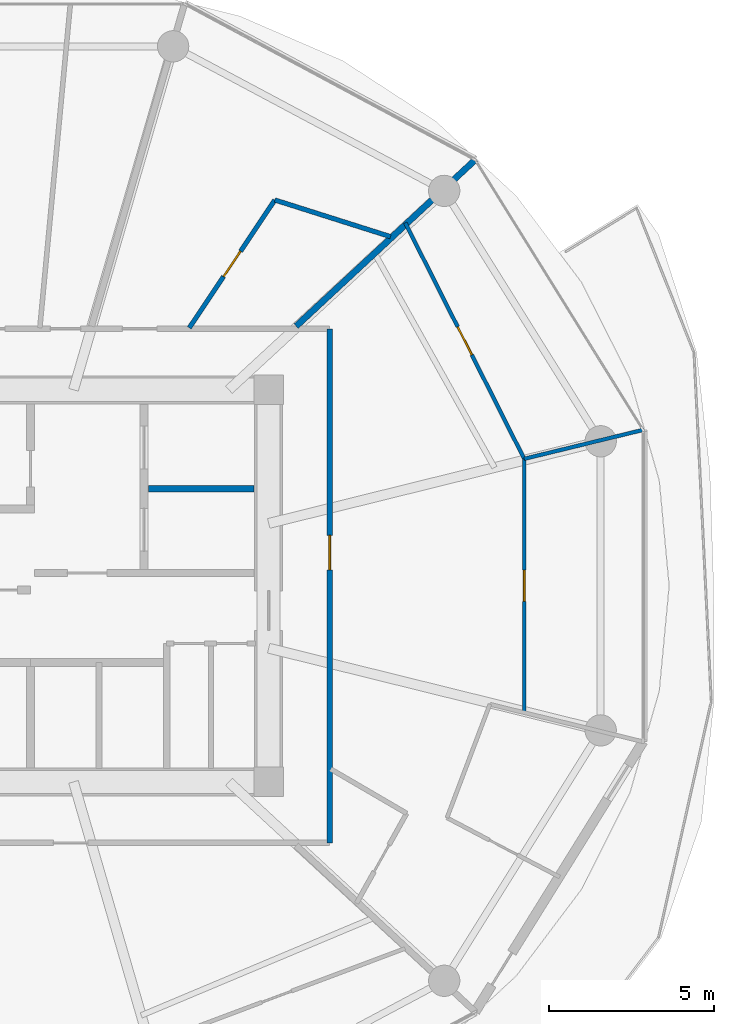
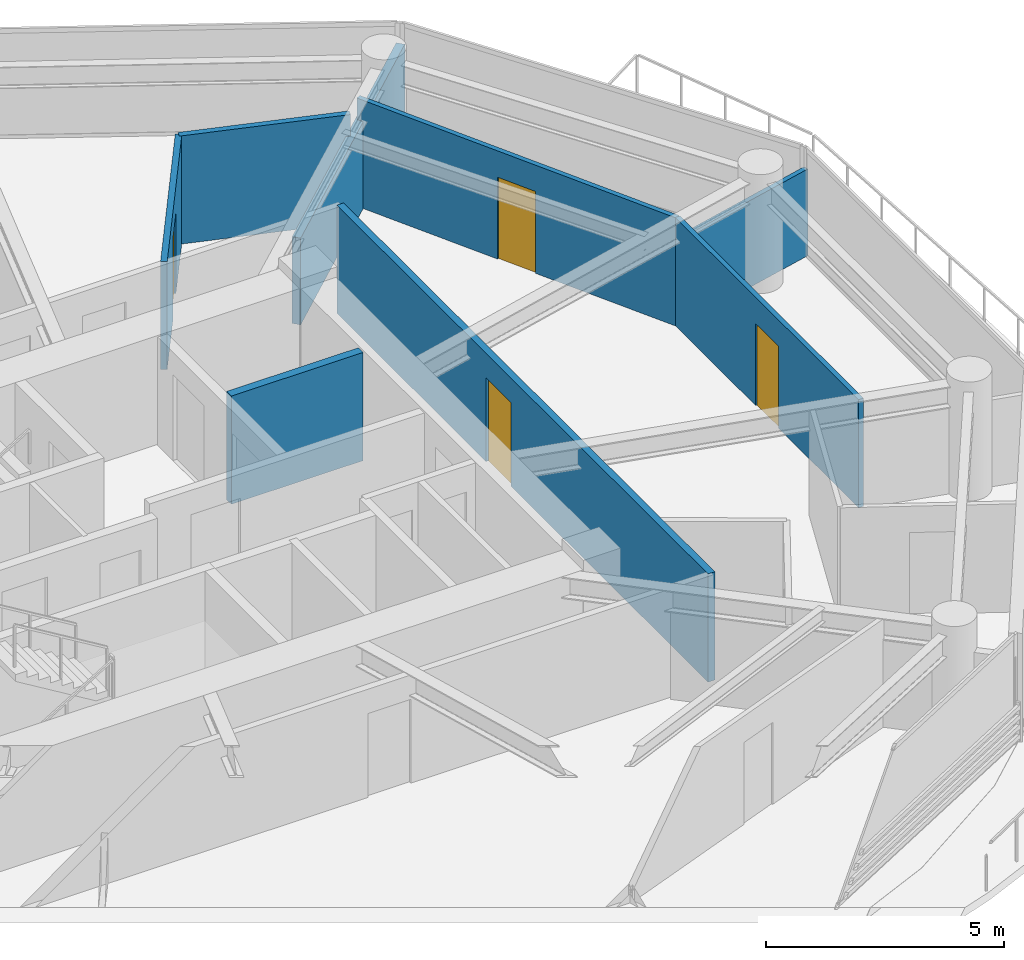
# One storey, part 21 of 27: 8 walls, 4 doors, 4 openings.
"""IFC4 building model written with IfcOpenShell, lengths in metres."""

import ifcopenshell
import ifcopenshell.guid

model = None  # the IFC model being written
_history = None  # IfcOwnerHistory: only IFC2X3 demands one
_inside = {}  # id of a spatial element -> (the spatial element, [elements in it])
_under = {}  # id of a project, library or spatial element -> (it, [spatial elements below it])
_declared = {}  # id of a project -> (the project, [libraries it declares])
_typed = {}  # id of a type object -> (the type object, [elements of that type])
_made_of = {}  # id of a material, layer set ... -> (it, [elements and type objects made of it])


def new_model(schema):
    """Start an empty IFC model of exactly this schema.

    Asked for "IFC4X3", IfcOpenShell would pick the latest addendum, in which some entities
    have other attributes; the version numbers below select the first issue.
    IFC2X3 requires an IfcOwnerHistory on every rooted entity: one is made here for all.
    """
    global model, _history
    if schema == "IFC4X3":
        model = ifcopenshell.file(schema_version=(4, 3, 0, 0))
    else:
        model = ifcopenshell.file(schema=schema)
    _inside.clear()
    _under.clear()
    _declared.clear()
    _typed.clear()
    _made_of.clear()
    _history = None
    if model.schema == "IFC2X3":
        org = make("IfcOrganization", Name="unknown")
        user = make(
            "IfcPersonAndOrganization",
            ThePerson=make("IfcPerson", FamilyName="unknown"),
            TheOrganization=org,
        )
        app = make(
            "IfcApplication",
            ApplicationDeveloper=org,
            Version="unknown",
            ApplicationFullName="unknown",
            ApplicationIdentifier="unknown",
        )
        _history = make(
            "IfcOwnerHistory",
            OwningUser=user,
            OwningApplication=app,
            ChangeAction="ADDED",
            CreationDate=0,
        )
    return model


def make(cls, **values):
    """One entity of the class cls with the attributes given. An attribute that is None is left unset."""
    return model.create_entity(
        cls, **{name: value for name, value in values.items() if value is not None}
    )


def rooted(cls, **values):
    """An entity with a GlobalId (a new one), such as an element, a storey or a relation."""
    return make(cls, GlobalId=ifcopenshell.guid.new(), OwnerHistory=_history, **values)


def si_unit(unit_type, name, prefix=None):
    """IfcSIUnit, for example si_unit("LENGTHUNIT", "METRE", prefix="MILLI")."""
    return make("IfcSIUnit", UnitType=unit_type, Prefix=prefix, Name=name)


def assignment(units):
    """IfcUnitAssignment: the units of a project."""
    return None if units is None else make("IfcUnitAssignment", Units=units)


def point(xyz):
    """IfcCartesianPoint."""
    return None if xyz is None else make("IfcCartesianPoint", Coordinates=xyz)


def direction(xyz):
    """IfcDirection."""
    return None if xyz is None else make("IfcDirection", DirectionRatios=xyz)


def frame(location, z_axis=None, x_axis=None):
    """IfcAxis2Placement3D, a coordinate frame: its origin and axes. An axis left out is left unset."""
    return make(
        "IfcAxis2Placement3D",
        Location=point(location),
        Axis=direction(z_axis),
        RefDirection=direction(x_axis),
    )


def frame_2d(location, x_axis=None):
    """IfcAxis2Placement2D, a coordinate frame in the plane: its origin and x axis."""
    return make(
        "IfcAxis2Placement2D", Location=point(location), RefDirection=direction(x_axis)
    )


def origin():
    """The frame at (0, 0, 0) with its axes left unset."""
    return frame((0.0, 0.0, 0.0))


def place(relative_to, where):
    """IfcLocalPlacement: puts the frame where relative to a parent placement (None: the world)."""
    return make(
        "IfcLocalPlacement", PlacementRelTo=relative_to, RelativePlacement=where
    )


def context(
    kind, dimensions, precision=None, world=None, true_north=None, identifier=None
):
    """IfcGeometricRepresentationContext, for example the 3D "Model" context."""
    return make(
        "IfcGeometricRepresentationContext",
        ContextIdentifier=identifier,
        ContextType=kind,
        CoordinateSpaceDimension=dimensions,
        Precision=precision,
        WorldCoordinateSystem=world,
        TrueNorth=true_north,
    )


def subcontext(parent, identifier, kind, view, scale=None):
    """IfcGeometricRepresentationSubContext, for example "Body" below "Model"."""
    return make(
        "IfcGeometricRepresentationSubContext",
        ContextIdentifier=identifier,
        ContextType=kind,
        ParentContext=parent,
        TargetScale=scale,
        TargetView=view,
    )


def project(units=None, contexts=None):
    """IfcProject with its units and contexts."""
    return rooted(
        "IfcProject",
        Name="project",
        RepresentationContexts=contexts,
        UnitsInContext=assignment(units),
    )


def spatial(cls, under=None, at=None, **own):
    """A site, building, storey or space (cls), placed at a placement, below another one or the project."""
    s = rooted(cls, ObjectPlacement=at, **own)
    if under is not None:
        _under.setdefault(under.id(), (under, []))[1].append(s)
    return s


def profile(cls, at=None, kind="AREA", **sizes):
    """A parametric profile (cls). Its sizes go by their IFC names, for example OverallWidth=200.0."""
    return make(cls, ProfileType=kind, Position=at, **sizes)


def rectangle(**sizes):
    """IfcRectangleProfileDef."""
    return profile("IfcRectangleProfileDef", **sizes)


def extrude(swept, where, along, depth):
    """IfcExtrudedAreaSolid: the profile swept, set in the frame where, extruded along a direction by depth."""
    return make(
        "IfcExtrudedAreaSolid",
        SweptArea=swept,
        Position=where,
        ExtrudedDirection=direction(along),
        Depth=depth,
    )


def shape(context_of_items, identifier, shape_type, items):
    """IfcShapeRepresentation: the items that make up one representation, for example the "Body"."""
    return make(
        "IfcShapeRepresentation",
        ContextOfItems=context_of_items,
        RepresentationIdentifier=identifier,
        RepresentationType=shape_type,
        Items=items,
    )


def source(mapping_origin, context_of_items, identifier, shape_type, items):
    """IfcRepresentationMap: a shape defined once, which mapped items show again and again."""
    return make(
        "IfcRepresentationMap",
        MappingOrigin=mapping_origin,
        MappedRepresentation=shape(context_of_items, identifier, shape_type, items),
    )


def transform(
    local_origin,
    x_axis=None,
    y_axis=None,
    z_axis=None,
    scale=None,
    scale2=None,
    scale3=None,
    uniform=True,
):
    """IfcCartesianTransformationOperator3D, or its non-uniform kind. x_axis, y_axis, z_axis: its Axis1, 2, 3."""
    if uniform:
        return make(
            "IfcCartesianTransformationOperator3D",
            Axis1=direction(x_axis),
            Axis2=direction(y_axis),
            LocalOrigin=point(local_origin),
            Scale=scale,
            Axis3=direction(z_axis),
        )
    return make(
        "IfcCartesianTransformationOperator3DnonUniform",
        Axis1=direction(x_axis),
        Axis2=direction(y_axis),
        LocalOrigin=point(local_origin),
        Scale=scale,
        Axis3=direction(z_axis),
        Scale2=scale2,
        Scale3=scale3,
    )


def mapped(mapping_source, mapping_target):
    """IfcMappedItem: shows the shape of a source again, moved by a transform."""
    return make(
        "IfcMappedItem", MappingSource=mapping_source, MappingTarget=mapping_target
    )


def material(Name=None, Category=None):
    """IfcMaterial."""
    return make("IfcMaterial", Name=Name, Category=Category)


def layer(
    of_material, thickness, ventilated=None, Name=None, Category=None, Priority=None
):
    """IfcMaterialLayer: one layer of a wall or slab, of a material (None: an air gap)."""
    return make(
        "IfcMaterialLayer",
        Material=of_material,
        LayerThickness=thickness,
        IsVentilated=ventilated,
        Name=Name,
        Category=Category,
        Priority=Priority,
    )


def layer_set(layers, Name=None):
    """IfcMaterialLayerSet."""
    return make("IfcMaterialLayerSet", MaterialLayers=layers, LayerSetName=Name)


def made_of(thing, what):
    """Note that an element or type object is made of a material, layer set ...; save() writes the relation."""
    if what is not None:
        _made_of.setdefault(what.id(), (what, []))[1].append(thing)
    return thing


def type_object(cls, material=None, **own):
    """A type object (cls), such as IfcWallType, which elements share."""
    return made_of(rooted(cls, **own), material)


def type_shapes(of_type, sources):
    """Give a type object the sources (RepresentationMaps) that its elements show as mapped items."""
    of_type.RepresentationMaps = sources


def element(
    cls,
    number,
    at=None,
    inside=None,
    cuts=None,
    type_object=None,
    material=None,
    context=None,
    identifier="Body",
    shape_type=None,
    held_by="IfcProductDefinitionShape",
    body=None,
    shapes=None,
    **own,
):
    """One element of the class cls, such as IfcWall. Its Tag is "e" and its number.

    at: its placement. inside: the storey or other place that contains it. cuts: it is an
    opening in that element (IfcRelVoidsElement). A single representation is given by context,
    identifier, shape_type and body (its items); several are given by shapes. held_by: the class
    of the entity that holds the representations. save() writes the other relations.
    """
    e = rooted(cls, Tag="e%d" % number, ObjectPlacement=at, **own)
    if body is not None:
        shapes = [shape(context, identifier, shape_type, body)]
    if shapes is not None:
        e.Representation = make(held_by, Representations=shapes)
    if inside is not None:
        _inside.setdefault(inside.id(), (inside, []))[1].append(e)
    if cuts is not None:
        rooted(
            "IfcRelVoidsElement", RelatingBuildingElement=cuts, RelatedOpeningElement=e
        )
    if type_object is not None:
        _typed.setdefault(type_object.id(), (type_object, []))[1].append(e)
    return made_of(e, material)


def fill(opening, filler):
    """IfcRelFillsElement: the door or window that sits in an opening."""
    return rooted(
        "IfcRelFillsElement",
        RelatingOpeningElement=opening,
        RelatedBuildingElement=filler,
    )


def aggregate(whole, parts):
    """IfcRelAggregates: a whole, such as a stair, and the parts it consists of."""
    return rooted("IfcRelAggregates", RelatingObject=whole, RelatedObjects=parts)


def save(model, path):
    """Write the relations noted so far, then the file.

    IfcRelAggregates (storeys below a building ...), IfcRelContainedInSpatialStructure (elements
    in a storey), IfcRelDefinesByType, IfcRelAssociatesMaterial and IfcRelDeclares: one each for
    every whole, place, type object, material and project.
    """
    for whole, parts in _under.values():
        aggregate(whole, parts)
    for where, things in _inside.values():
        rooted(
            "IfcRelContainedInSpatialStructure",
            RelatedElements=things,
            RelatingStructure=where,
        )
    for kind, things in _typed.values():
        rooted("IfcRelDefinesByType", RelatedObjects=things, RelatingType=kind)
    for what, things in _made_of.values():
        rooted("IfcRelAssociatesMaterial", RelatedObjects=things, RelatingMaterial=what)
    for by, libraries in _declared.values():
        rooted("IfcRelDeclares", RelatingContext=by, RelatedDefinitions=libraries)
    model.write(path)


model = new_model("IFC4")

# Units and contexts
model_context = context("Model", 3, precision=1e-05, world=origin(), true_north=direction((0.0, 1.0)))
body_context = subcontext(model_context, "Body", "Model", "MODEL_VIEW")
ifc_project = project(units=[si_unit("LENGTHUNIT", "METRE"), si_unit("AREAUNIT", "SQUARE_METRE"), si_unit("VOLUMEUNIT", "CUBIC_METRE"), si_unit("PLANEANGLEUNIT", "RADIAN"), si_unit("MASSUNIT", "GRAM", prefix="KILO")], contexts=[model_context])

# Site, building, storey
site_placement = place(None, origin())
site = spatial("IfcSite", under=ifc_project, at=site_placement, CompositionType="ELEMENT")
building_placement = place(site_placement, origin())
building = spatial("IfcBuilding", under=site, at=building_placement, Name="Norrkilde Senior Care Towers", CompositionType="ELEMENT")
storey_placement = place(building_placement, frame((0.0, 0.0, 33.800048828125)))
storey = spatial("IfcBuildingStorey", under=building, at=storey_placement, Name="L09", CompositionType="ELEMENT", Elevation=33.800048828125)

# Wall
ifc_material_1 = material(Name="Concrete C45/55", Category="concrete")
ifc_layer_1 = layer(ifc_material_1, 0.199951171875)
ifc_layer_set_1 = layer_set([ifc_layer_1], Name="Concrete C45/55")
wall_type_1 = type_object("IfcWallType", Name="Shaft Division and Plant Partition 200", PredefinedType="PARTITIONING", material=ifc_layer_set_1)
shared_shape_1 = source(origin(), body_context, "Body", "SweptSolid", [
    extrude(rectangle(XDim=3.199951171875, YDim=0.199951171875, at=frame_2d((1.60009765625, 0.0))), origin(), (0.0, 0.0, 1.0), 2.77490234375),
])
type_shapes(wall_type_1, [shared_shape_1])
wall_1_placement = place(storey_placement, frame((32.0, 2.949951171875, 0.0), z_axis=(0.0, 0.0, 1.0), x_axis=(1.0, 0.0, 0.0)))
element("IfcWall", 1, at=wall_1_placement, inside=storey, type_object=wall_type_1, Name="WL-INT-L09-E-FFLDIV", PredefinedType="PARTITIONING", context=body_context, shape_type="MappedRepresentation", body=[
    mapped(shared_shape_1, transform((0.0, 0.0, 0.0), x_axis=(1.0, 0.0, 0.0), y_axis=(0.0, 1.0, 0.0), z_axis=(0.0, 0.0, 1.0), scale=1.0)),
])

# Wall, opening, door
ifc_material_2 = material(Name="Gypsum Acoustic Board")
ifc_layer_2 = layer(ifc_material_2, 0.1650390625)
ifc_layer_set_2 = layer_set([ifc_layer_2], Name="Gypsum Acoustic Board")
wall_type_2 = type_object("IfcWallType", Name="Corridor Rated Partition 165", PredefinedType="PARTITIONING", material=ifc_layer_set_2)
shared_shape_2 = source(origin(), body_context, "Body", "SweptSolid", [
    extrude(rectangle(XDim=15.60009765625, YDim=0.1650390625, at=frame_2d((7.800048828125, 0.0))), origin(), (0.0, 0.0, 1.0), 2.77490234375),
])
type_shapes(wall_type_2, [shared_shape_2])
wall_2_placement = place(storey_placement, frame((37.5, 7.800048828125, 0.0), z_axis=(0.0, 0.0, 1.0), x_axis=(0.0, -1.0, 0.0)))
wall_2 = element("IfcWall", 2, at=wall_2_placement, inside=storey, type_object=wall_type_2, Name="WL-INT-L09-E-CRW-E-0", PredefinedType="PARTITIONING", context=body_context, shape_type="MappedRepresentation", body=[
    mapped(shared_shape_2, transform((0.0, 0.0, 0.0), x_axis=(1.0, 0.0, 0.0), y_axis=(0.0, 1.0, 0.0), z_axis=(0.0, 0.0, 1.0), scale=1.0)),
])
opening_1_placement = place(wall_2_placement, frame((6.26904296875, 0.0, 0.0)))
opening_1 = element("IfcOpeningElement", 3, at=opening_1_placement, cuts=wall_2, Name="Opening D-06", PredefinedType="OPENING", context=body_context, shape_type="SweptSolid", body=[
    extrude(rectangle(XDim=1.050048828125, YDim=2.14990234375, at=frame_2d((0.52490234375, 1.074951171875))), frame((0.0, 0.092529296875, 0.0), z_axis=(0.0, -1.0, 0.0), x_axis=(1.0, 0.0, 0.0)), (0.0, 0.0, 1.0), 0.18505859375),
])
ifc_material_3 = material(Name="Nordic Ash Timber", Category="wood")
door_type_1 = type_object("IfcDoorType", Name="Apartment Entrance Fire Door 1050x2150", OperationType="NOTDEFINED", PredefinedType="DOOR", material=ifc_material_3)
shared_shape_3 = source(origin(), body_context, "Body", "SweptSolid", [
    extrude(rectangle(XDim=1.050048828125, YDim=2.14990234375, at=frame_2d((0.52490234375, 1.074951171875))), frame((0.0, 0.02490234375, 0.0), z_axis=(0.0, -1.0, 0.0), x_axis=(1.0, 0.0, 0.0)), (0.0, 0.0, 1.0), 0.050048828125),
])
type_shapes(door_type_1, [shared_shape_3])
door_1_placement = place(opening_1_placement, frame((1.050048828125, 0.0, 0.0), z_axis=(0.0, 0.0, 1.0), x_axis=(-1.0, 0.0, 0.0)))
door_1 = element("IfcDoor", 4, at=door_1_placement, inside=storey, type_object=door_type_1, Name="Apartment 09F Entrance Door", OperationType="SINGLE_SWING_LEFT", OverallHeight=2.14990234375, OverallWidth=1.050048828125, PredefinedType="DOOR", context=body_context, shape_type="MappedRepresentation", body=[
    mapped(shared_shape_3, transform((0.0, 0.0, 0.0), x_axis=(1.0, 0.0, 0.0), y_axis=(0.0, 1.0, 0.0), z_axis=(0.0, 0.0, 1.0), scale=1.0)),
])
fill(opening_1, door_1)

# Wall
ifc_layer_3 = layer(ifc_material_2, 0.18994140625)
ifc_layer_set_3 = layer_set([ifc_layer_3], Name="Gypsum Acoustic Board")
wall_type_3 = type_object("IfcWallType", Name="Unit Demising Acoustic Wall 190", PredefinedType="PARTITIONING", material=ifc_layer_set_3)
shared_shape_4 = source(origin(), body_context, "Body", "SweptSolid", [
    extrude(rectangle(XDim=7.4345703125, YDim=0.18994140625, at=frame_2d((3.71728515625, 0.0))), origin(), (0.0, 0.0, 1.0), 2.224853515625),
])
type_shapes(wall_type_3, [shared_shape_4])
wall_3_placement = place(storey_placement, frame((36.48291015625, 7.8798828125, 0.0), z_axis=(0.0, 0.0, 1.0), x_axis=(0.732651956848, 0.680603489652, 0.0)))
element("IfcWall", 5, at=wall_3_placement, inside=storey, type_object=wall_type_3, Name="WL-INT-L09-E-DEM-01-0", PredefinedType="PARTITIONING", context=body_context, shape_type="MappedRepresentation", body=[
    mapped(shared_shape_4, transform((0.0, 0.0, 0.0), x_axis=(1.0, 0.0, 0.0), y_axis=(0.0, 1.0, 0.0), z_axis=(0.0, 0.0, 1.0), scale=1.0)),
])

# Wall, opening, door
ifc_layer_4 = layer(ifc_material_2, 0.114990234375)
ifc_layer_set_4 = layer_set([ifc_layer_4], Name="Gypsum Acoustic Board")
wall_type_4 = type_object("IfcWallType", Name="Internal Room Partition 115", PredefinedType="PARTITIONING", material=ifc_layer_set_4)
shared_shape_5 = source(origin(), body_context, "Body", "SweptSolid", [
    extrude(rectangle(XDim=8.017822265625, YDim=0.114990234375, at=frame_2d((4.0087890625, 0.0))), origin(), (0.0, 0.0, 1.0), 2.77490234375),
])
wall_4_placement = place(storey_placement, frame((43.404052734375, 3.854248046875, 0.0), z_axis=(0.0, 0.0, 1.0), x_axis=(-0.450134355233, 0.89296084026, 0.0)))
wall_4 = element("IfcWall", 6, at=wall_4_placement, inside=storey, type_object=wall_type_4, Name="WL-INT-L09-E-UBC-10-2", PredefinedType="PARTITIONING", context=body_context, shape_type="MappedRepresentation", body=[
    mapped(shared_shape_5, transform((0.0, 0.0, 0.0), x_axis=(1.0, 0.0, 0.0), y_axis=(0.0, 1.0, 0.0), z_axis=(0.0, 0.0, 1.0), scale=1.0)),
])
opening_2_placement = place(wall_4_placement, frame((3.533935546875, 0.0, 0.0)))
opening_2 = element("IfcOpeningElement", 7, at=opening_2_placement, cuts=wall_4, Name="Opening D-07", PredefinedType="OPENING", context=body_context, shape_type="SweptSolid", body=[
    extrude(rectangle(XDim=0.949951171875, YDim=2.10009765625, at=frame_2d((0.47509765625, 1.050048828125))), frame((0.0, 0.0673828125, 0.0), z_axis=(0.0, -1.0, 0.0), x_axis=(1.0, 0.0, 0.0)), (0.0, 0.0, 1.0), 0.135009765625),
])
door_type_2 = type_object("IfcDoorType", Name="Internal Suite Bedroom Door 950x2100", OperationType="NOTDEFINED", PredefinedType="DOOR", material=ifc_material_3)
shared_shape_6 = source(origin(), body_context, "Body", "SweptSolid", [
    extrude(rectangle(XDim=0.949951171875, YDim=2.10009765625, at=frame_2d((0.47509765625, 1.050048828125))), frame((0.0, 0.02490234375, 0.0), z_axis=(0.0, -1.0, 0.0), x_axis=(1.0, 0.0, 0.0)), (0.0, 0.0, 1.0), 0.050048828125),
])
type_shapes(door_type_2, [shared_shape_6])
door_2_placement = place(opening_2_placement, frame((0.949951171875, 0.0, 0.0), z_axis=(0.0, 0.0, 1.0), x_axis=(-1.0, 0.0, 0.0)))
door_2 = element("IfcDoor", 8, at=door_2_placement, inside=storey, type_object=door_type_2, Name="Apartment 09F Bedroom 2 Door", OperationType="SINGLE_SWING_LEFT", OverallHeight=2.10009765625, OverallWidth=0.949951171875, PredefinedType="DOOR", context=body_context, shape_type="MappedRepresentation", body=[
    mapped(shared_shape_6, transform((0.0, 0.0, 0.0), x_axis=(1.0, 0.0, 0.0), y_axis=(0.0, 1.0, 0.0), z_axis=(0.0, 0.0, 1.0), scale=1.0)),
])
fill(opening_2, door_2)

shared_shape_7 = source(origin(), body_context, "Body", "SweptSolid", [
    extrude(rectangle(XDim=7.70947265625, YDim=0.114990234375, at=frame_2d((3.854736328125, 0.0))), origin(), (0.0, 0.0, 1.0), 2.77490234375),
])
wall_5_placement = place(storey_placement, frame((43.40625, -3.854736328125, 0.0), z_axis=(0.0, 0.0, 1.0), x_axis=(0.0, 1.0, 0.0)))
wall_5 = element("IfcWall", 9, at=wall_5_placement, inside=storey, type_object=wall_type_4, Name="WL-INT-L09-E-UBC-10-1", PredefinedType="PARTITIONING", context=body_context, shape_type="MappedRepresentation", body=[
    mapped(shared_shape_7, transform((0.0, 0.0, 0.0), x_axis=(1.0, 0.0, 0.0), y_axis=(0.0, 1.0, 0.0), z_axis=(0.0, 0.0, 1.0), scale=1.0)),
])
opening_3_placement = place(wall_5_placement, frame((3.379638671875, 0.0, 0.0)))
opening_3 = element("IfcOpeningElement", 10, at=opening_3_placement, cuts=wall_5, Name="Opening D-07", PredefinedType="OPENING", context=body_context, shape_type="SweptSolid", body=[
    extrude(rectangle(XDim=0.949951171875, YDim=2.10009765625, at=frame_2d((0.47509765625, 1.050048828125))), frame((0.0, 0.0673828125, 0.0), z_axis=(0.0, -1.0, 0.0), x_axis=(1.0, 0.0, 0.0)), (0.0, 0.0, 1.0), 0.135009765625),
])
door_3_placement = place(opening_3_placement, origin())
door_3 = element("IfcDoor", 11, at=door_3_placement, inside=storey, type_object=door_type_2, Name="Apartment 09F Bedroom 1 Door", OperationType="SINGLE_SWING_RIGHT", OverallHeight=2.10009765625, OverallWidth=0.949951171875, PredefinedType="DOOR", context=body_context, shape_type="MappedRepresentation", body=[
    mapped(shared_shape_6, transform((0.0, 0.0, 0.0), x_axis=(1.0, 0.0, 0.0), y_axis=(0.0, 1.0, 0.0), z_axis=(0.0, 0.0, 1.0), scale=1.0)),
])
fill(opening_3, door_3)

ifc_layer_5 = layer(ifc_material_2, 0.139892578125)
ifc_layer_set_5 = layer_set([ifc_layer_5], Name="Gypsum Acoustic Board")
wall_type_5 = type_object("IfcWallType", Name="En-suite Wet Room Wall 140", PredefinedType="PARTITIONING", material=ifc_layer_set_5)
shared_shape_8 = source(origin(), body_context, "Body", "SweptSolid", [
    extrude(rectangle(XDim=4.667724609375, YDim=0.139892578125, at=frame_2d((2.333984375, 0.0))), origin(), (0.0, 0.0, 1.0), 2.77490234375),
])
wall_6_placement = place(storey_placement, frame((33.23974609375, 7.830078125, 0.0), z_axis=(0.0, 0.0, 1.0), x_axis=(0.55615986029, 0.83107533341, 0.0)))
wall_6 = element("IfcWall", 12, at=wall_6_placement, inside=storey, type_object=wall_type_5, Name="WL-INT-L09-E-ES-01", PredefinedType="PARTITIONING", context=body_context, shape_type="MappedRepresentation", body=[
    mapped(shared_shape_8, transform((0.0, 0.0, 0.0), x_axis=(1.0, 0.0, 0.0), y_axis=(0.0, 1.0, 0.0), z_axis=(0.0, 0.0, 1.0), scale=1.0)),
])
opening_4_placement = place(wall_6_placement, frame((1.873779296875, 0.0, 0.0)))
opening_4 = element("IfcOpeningElement", 13, at=opening_4_placement, cuts=wall_6, Name="Opening D-08", PredefinedType="OPENING", context=body_context, shape_type="SweptSolid", body=[
    extrude(rectangle(XDim=0.919921875, YDim=2.10009765625, at=frame_2d((0.4599609375, 1.050048828125))), frame((0.0, 0.079833984375, 0.0), z_axis=(0.0, -1.0, 0.0), x_axis=(1.0, 0.0, 0.0)), (0.0, 0.0, 1.0), 0.159912109375),
])
door_type_3 = type_object("IfcDoorType", Name="Accessible Wet Room Door 920x2100", OperationType="NOTDEFINED", PredefinedType="DOOR", material=ifc_material_3)
shared_shape_9 = source(origin(), body_context, "Body", "SweptSolid", [
    extrude(rectangle(XDim=0.919921875, YDim=2.10009765625, at=frame_2d((0.4599609375, 1.050048828125))), frame((0.0, 0.02490234375, 0.0), z_axis=(0.0, -1.0, 0.0), x_axis=(1.0, 0.0, 0.0)), (0.0, 0.0, 1.0), 0.050048828125),
])
type_shapes(door_type_3, [shared_shape_9])
door_4_placement = place(opening_4_placement, origin())
door_4 = element("IfcDoor", 14, at=door_4_placement, inside=storey, type_object=door_type_3, Name="L09 Studio 09G Bathroom Door", OperationType="SINGLE_SWING_RIGHT", OverallHeight=2.10009765625, OverallWidth=0.919921875, PredefinedType="DOOR", context=body_context, shape_type="MappedRepresentation", body=[
    mapped(shared_shape_9, transform((0.0, 0.0, 0.0), x_axis=(1.0, 0.0, 0.0), y_axis=(0.0, 1.0, 0.0), z_axis=(0.0, 0.0, 1.0), scale=1.0)),
])
fill(opening_4, door_4)

# Walls
shared_shape_10 = source(origin(), body_context, "Body", "SweptSolid", [
    extrude(rectangle(XDim=3.68408203125, YDim=0.139892578125, at=frame_2d((1.842041015625, 0.0))), origin(), (0.0, 0.0, 1.0), 2.77490234375),
])
type_shapes(wall_type_5, [shared_shape_8, shared_shape_10])
wall_7_placement = place(storey_placement, frame((35.835693359375, 11.709228515625, 0.0), z_axis=(0.0, 0.0, 1.0), x_axis=(0.953245538614, -0.302196861518, 0.0)))
element("IfcWall", 15, at=wall_7_placement, inside=storey, type_object=wall_type_5, Name="WL-INT-L09-E-EF-01", PredefinedType="PARTITIONING", context=body_context, shape_type="MappedRepresentation", body=[
    mapped(shared_shape_10, transform((0.0, 0.0, 0.0), x_axis=(1.0, 0.0, 0.0), y_axis=(0.0, 1.0, 0.0), z_axis=(0.0, 0.0, 1.0), scale=1.0)),
])
shared_shape_11 = source(origin(), body_context, "Body", "SweptSolid", [
    extrude(rectangle(XDim=3.73046875, YDim=0.114990234375, at=frame_2d((1.865234375, 0.0))), origin(), (0.0, 0.0, 1.0), 2.224853515625),
])
type_shapes(wall_type_4, [shared_shape_5, shared_shape_7, shared_shape_11])
wall_8_placement = place(storey_placement, frame((43.404052734375, 3.854248046875, 0.0), z_axis=(0.0, 0.0, 1.0), x_axis=(0.971644038568, 0.236448434791, 0.0)))
element("IfcWall", 16, at=wall_8_placement, inside=storey, type_object=wall_type_4, Name="WL-INT-L09-E-UBR-10-2", PredefinedType="PARTITIONING", context=body_context, shape_type="MappedRepresentation", body=[
    mapped(shared_shape_11, transform((0.0, 0.0, 0.0), x_axis=(1.0, 0.0, 0.0), y_axis=(0.0, 1.0, 0.0), z_axis=(0.0, 0.0, 1.0), scale=1.0)),
])

save(model, "model.ifc")
